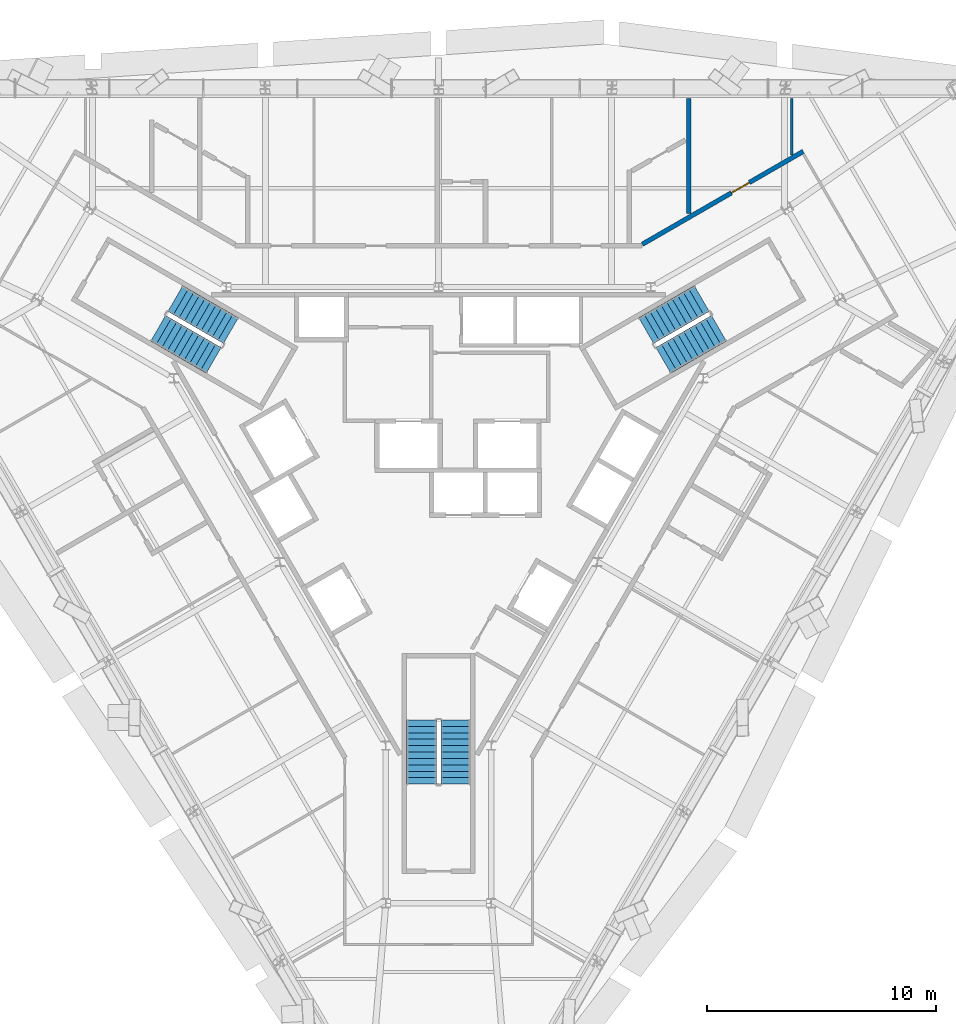
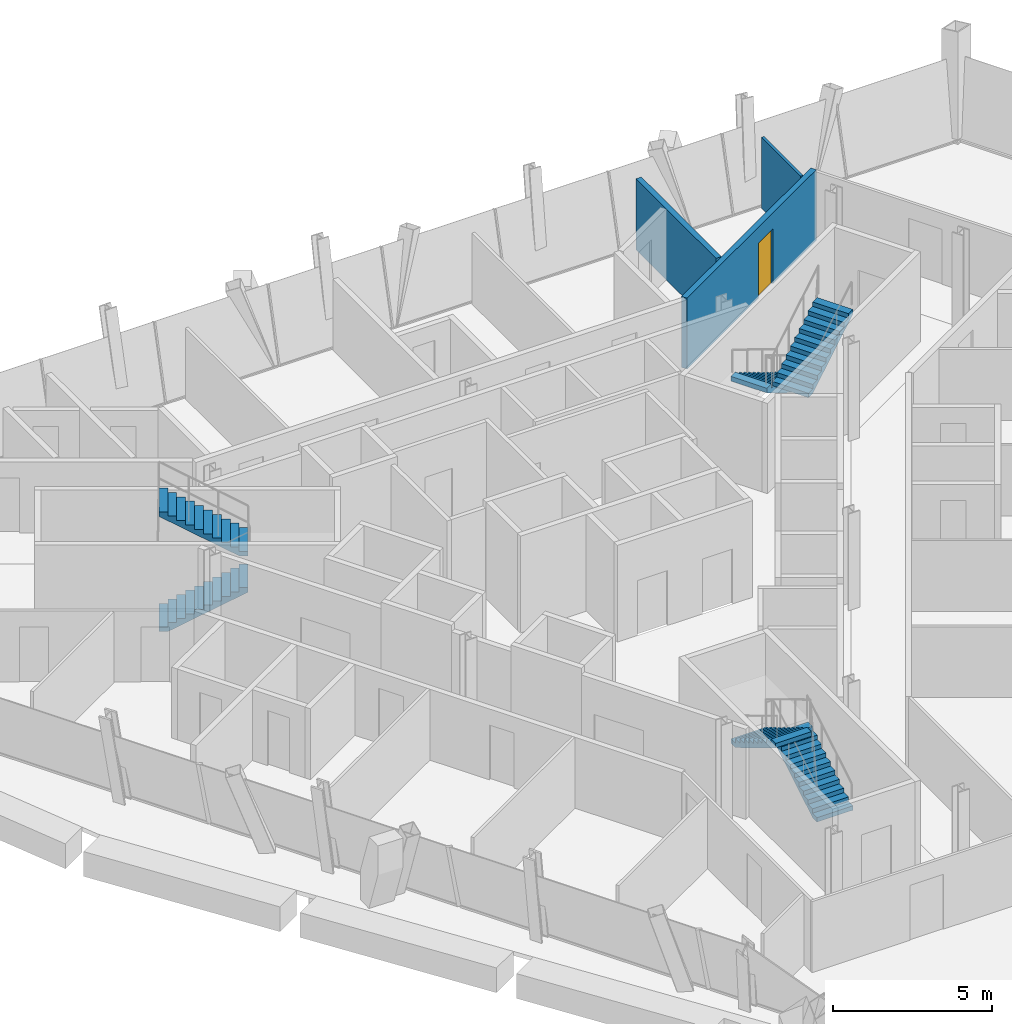
# One storey, part 9 of 11: 6 stair flights, 3 walls, 1 door, 1 opening, 3 elements without a shape of their own.
"""IFC4 building model written with IfcOpenShell, lengths in metres."""

from ifc_helpers import new_model, si_unit, direction, frame, frame_2d, origin, place, context, subcontext, project, spatial, polyline, rectangle, outline, extrude, material, layer, layer_set, type_object, element, fill, aggregate, save


model = new_model("IFC4")

# Units and contexts
model_context = context("Model", 3, precision=1e-05, world=origin(), true_north=direction((0.0, 1.0)))
body_context = subcontext(model_context, "Body", "Model", "MODEL_VIEW")
ifc_project = project(units=[si_unit("LENGTHUNIT", "METRE"), si_unit("AREAUNIT", "SQUARE_METRE"), si_unit("VOLUMEUNIT", "CUBIC_METRE"), si_unit("PLANEANGLEUNIT", "RADIAN"), si_unit("MASSUNIT", "GRAM", prefix="KILO")], contexts=[model_context])

# Site, building, storey
site_placement = place(None, origin())
site = spatial("IfcSite", under=ifc_project, at=site_placement, CompositionType="ELEMENT")
building_placement = place(site_placement, origin())
building = spatial("IfcBuilding", under=site, at=building_placement, Name="Verrane Prism Tower", CompositionType="ELEMENT")
storey_placement = place(building_placement, frame((0.0, 0.0, 156.199951171875)))
storey = spatial("IfcBuildingStorey", under=building, at=storey_placement, Name="L38", CompositionType="ELEMENT", Elevation=156.199951171875)

# Wall
ifc_material_1 = material(Name="Gypsum board partition", Category="other")
ifc_layer_1 = layer(ifc_material_1, 0.10009765625)
ifc_layer_set_1 = layer_set([ifc_layer_1], Name="PW-100 room partition")
wall_type_1 = type_object("IfcWallType", Name="PW-100 room partition", PredefinedType="PARTITIONING", material=ifc_layer_set_1)
wall_1_placement = place(storey_placement, frame((15.4130859375, 13.7744140625, 0.0), z_axis=(0.0, 0.0, 1.0), x_axis=(0.0, 1.0, 0.0)))
element("IfcWall", 1, at=wall_1_placement, inside=storey, type_object=wall_type_1, Name="Room partition 046", PredefinedType="PARTITIONING", context=body_context, shape_type="SweptSolid", body=[
    extrude(rectangle(XDim=2.460693359375, YDim=0.10009765625, at=frame_2d((1.23046875, 0.0))), origin(), (0.0, 0.0, 1.0), 2.713134765625),
])

# Wall, opening, door
ifc_material_2 = material(Name="Gypsum board partition", Category="other")
ifc_layer_2 = layer(ifc_material_2, 0.199951171875)
ifc_layer_set_2 = layer_set([ifc_layer_2], Name="PW-200 plumbing wall")
wall_type_2 = type_object("IfcWallType", Name="PW-200 plumbing wall", PredefinedType="PARTITIONING", material=ifc_layer_set_2)
wall_2_placement = place(storey_placement, frame((8.89501953125, 9.867431640625, 0.0), z_axis=(0.0, 0.0, 1.0), x_axis=(0.866079355551, 0.499906541154, 0.0)))
wall_2 = element("IfcWall", 2, at=wall_2_placement, inside=storey, type_object=wall_type_2, Name="Plumbing wall 037", PredefinedType="PARTITIONING", context=body_context, shape_type="SweptSolid", body=[
    extrude(rectangle(XDim=8.11279296875, YDim=0.199951171875, at=frame_2d((4.056396484375, 0.0))), origin(), (0.0, 0.0, 1.0), 2.713134765625),
])
opening_placement = place(wall_2_placement, frame((4.492919921875, 0.0, 0.0)))
opening = element("IfcOpeningElement", 3, at=opening_placement, cuts=wall_2, Name="Opening D36010", PredefinedType="OPENING", context=body_context, shape_type="SweptSolid", body=[
    extrude(rectangle(XDim=0.89990234375, YDim=2.10009765625, at=frame_2d((0.449951171875, 1.050048828125))), frame((0.0, 0.10986328125, 0.0), z_axis=(0.0, -1.0, 0.0), x_axis=(1.0, 0.0, 0.0)), (0.0, 0.0, 1.0), 0.219970703125),
])
ifc_material_3 = material(Name="Timber veneered door leaf", Category="wood")
door_type = type_object("IfcDoorType", Name="DR-900x2100 single leaf unit", OperationType="NOTDEFINED", PredefinedType="DOOR", material=ifc_material_3)
door_placement = place(opening_placement, origin())
door = element("IfcDoor", 4, at=door_placement, inside=storey, type_object=door_type, Name="Kitchen door", OperationType="SINGLE_SWING_RIGHT", OverallHeight=2.10009765625, OverallWidth=0.89990234375, PredefinedType="DOOR", context=body_context, shape_type="SweptSolid", body=[
    extrude(rectangle(XDim=0.89990234375, YDim=2.10009765625, at=frame_2d((0.449951171875, 1.050048828125))), frame((0.0, 0.02490234375, 0.0), z_axis=(0.0, -1.0, 0.0), x_axis=(1.0, 0.0, 0.0)), (0.0, 0.0, 1.0), 0.050048828125),
])
fill(opening, door)

# Wall
wall_3_placement = place(storey_placement, frame((10.924072265625, 11.212158203125, 0.0), z_axis=(0.0, 0.0, 1.0), x_axis=(0.0, 1.0, 0.0)))
element("IfcWall", 5, at=wall_3_placement, inside=storey, type_object=wall_type_2, Name="Plumbing wall 039", PredefinedType="PARTITIONING", context=body_context, shape_type="SweptSolid", body=[
    extrude(rectangle(XDim=5.02294921875, YDim=0.199951171875, at=frame_2d((2.511474609375, 0.0))), origin(), (0.0, 0.0, 1.0), 2.713134765625),
])

# Stair, stair flights
ifc_material_4 = material(Name="Concrete C40/50", Category="concrete")
stair_type = type_object("IfcStairType", Name="Exit stair 1300 dog-leg precast concrete C40/50", PredefinedType="HALF_TURN_STAIR", material=ifc_material_4)
stair_1_placement = place(storey_placement, origin())
stair_1 = element("IfcStair", 6, at=stair_1_placement, inside=storey, type_object=stair_type, Name="Stair 1 L38", PredefinedType="HALF_TURN_STAIR")
ifc_material_5 = material(Name="Concrete C40/50", Category="concrete")
stair_flight_type = type_object("IfcStairFlightType", Name="Stair flight 1300 precast concrete C40/50", PredefinedType="STRAIGHT", material=ifc_material_5)
stair_flight_1_placement = place(storey_placement, frame((11.489501953125, 7.49951171875, 0.0), z_axis=(0.0, 0.0, 1.0), x_axis=(-0.866025403784, -0.5, 0.0)))
stair_flight_1 = element("IfcStairFlight", 7, at=stair_flight_1_placement, type_object=stair_flight_type, Name="Stair 1 flight 1", NumberOfRisers=11, NumberOfTreads=10, PredefinedType="STRAIGHT", RiserHeight=0.168181818, TreadLength=0.28, context=body_context, shape_type="SweptSolid", body=[
    extrude(outline(polyline([(0.0, 0.0), (0.0, 0.168212890625), (0.280029296875, 0.168212890625), (0.280029296875, 0.33642578125), (0.56005859375, 0.33642578125), (0.56005859375, 0.504638671875), (0.840087890625, 0.504638671875), (0.840087890625, 0.672607421875), (1.1201171875, 0.672607421875), (1.1201171875, 0.8408203125), (1.39990234375, 0.8408203125), (1.39990234375, 1.009033203125), (1.679931640625, 1.009033203125), (1.679931640625, 1.17724609375), (1.9599609375, 1.17724609375), (1.9599609375, 1.345458984375), (2.239990234375, 1.345458984375), (2.239990234375, 1.513671875), (2.52001953125, 1.513671875), (2.52001953125, 1.681884765625), (2.800048828125, 1.681884765625), (2.800048828125, 1.85009765625), (2.800048828125, 1.5068359375), (0.291015625, 0.0), (0.0, 0.0)])), frame((0.0, 0.64990234375, 0.0), z_axis=(0.0, -1.0, 0.0), x_axis=(1.0, 0.0, 0.0)), (0.0, 0.0, 1.0), 1.300048828125),
])
stair_flight_2_placement = place(storey_placement, frame((9.814697265625, 4.800537109375, 1.85009765625), z_axis=(0.0, 0.0, 1.0), x_axis=(0.866025403784, 0.5, 0.0)))
stair_flight_2 = element("IfcStairFlight", 8, at=stair_flight_2_placement, type_object=stair_flight_type, Name="Stair 1 flight 2", NumberOfRisers=11, NumberOfTreads=10, PredefinedType="STRAIGHT", RiserHeight=0.168181818, TreadLength=0.28, context=body_context, shape_type="SweptSolid", body=[
    extrude(outline(polyline([(0.0, 0.0), (0.0, 0.168212890625), (0.280029296875, 0.168212890625), (0.280029296875, 0.33642578125), (0.56005859375, 0.33642578125), (0.56005859375, 0.504638671875), (0.840087890625, 0.504638671875), (0.840087890625, 0.672607421875), (1.1201171875, 0.672607421875), (1.1201171875, 0.8408203125), (1.39990234375, 0.8408203125), (1.39990234375, 1.009033203125), (1.679931640625, 1.009033203125), (1.679931640625, 1.17724609375), (1.9599609375, 1.17724609375), (1.9599609375, 1.345458984375), (2.239990234375, 1.345458984375), (2.239990234375, 1.513671875), (2.52001953125, 1.513671875), (2.52001953125, 1.681884765625), (2.800048828125, 1.681884765625), (2.800048828125, 1.85009765625), (2.800048828125, 1.5068359375), (0.291015625, 0.0), (0.0, 0.0)])), frame((0.0, 0.64990234375, 0.0), z_axis=(0.0, -1.0, 0.0), x_axis=(1.0, 0.0, 0.0)), (0.0, 0.0, 1.0), 1.300048828125),
])
aggregate(stair_1, [stair_flight_1, stair_flight_2])

stair_2_placement = place(storey_placement, origin())
stair_2 = element("IfcStair", 9, at=stair_2_placement, inside=storey, type_object=stair_type, Name="Stair 2 L38", PredefinedType="HALF_TURN_STAIR")
stair_flight_3_placement = place(storey_placement, frame((-12.239501953125, 6.200439453125, 0.0), z_axis=(0.0, 0.0, 1.0), x_axis=(0.866025403784, -0.5, 0.0)))
stair_flight_3 = element("IfcStairFlight", 10, at=stair_flight_3_placement, type_object=stair_flight_type, Name="Stair 2 flight 1", NumberOfRisers=11, NumberOfTreads=10, PredefinedType="STRAIGHT", RiserHeight=0.168181818, TreadLength=0.28, context=body_context, shape_type="SweptSolid", body=[
    extrude(outline(polyline([(0.0, 0.0), (0.0, 0.168212890625), (0.280029296875, 0.168212890625), (0.280029296875, 0.33642578125), (0.56005859375, 0.33642578125), (0.56005859375, 0.504638671875), (0.840087890625, 0.504638671875), (0.840087890625, 0.672607421875), (1.1201171875, 0.672607421875), (1.1201171875, 0.8408203125), (1.39990234375, 0.8408203125), (1.39990234375, 1.009033203125), (1.679931640625, 1.009033203125), (1.679931640625, 1.17724609375), (1.9599609375, 1.17724609375), (1.9599609375, 1.345458984375), (2.239990234375, 1.345458984375), (2.239990234375, 1.513671875), (2.52001953125, 1.513671875), (2.52001953125, 1.681884765625), (2.800048828125, 1.681884765625), (2.800048828125, 1.85009765625), (2.800048828125, 1.5068359375), (0.291015625, 0.0), (0.0, 0.0)])), frame((0.0, 0.64990234375, 0.0), z_axis=(0.0, -1.0, 0.0), x_axis=(1.0, 0.0, 0.0)), (0.0, 0.0, 1.0), 1.300048828125),
])
stair_flight_4_placement = place(storey_placement, frame((-9.064697265625, 6.099609375, 1.85009765625), z_axis=(0.0, 0.0, 1.0), x_axis=(-0.866025403784, 0.5, 0.0)))
stair_flight_4 = element("IfcStairFlight", 11, at=stair_flight_4_placement, type_object=stair_flight_type, Name="Stair 2 flight 2", NumberOfRisers=11, NumberOfTreads=10, PredefinedType="STRAIGHT", RiserHeight=0.168181818, TreadLength=0.28, context=body_context, shape_type="SweptSolid", body=[
    extrude(outline(polyline([(0.0, 0.0), (0.0, 0.168212890625), (0.280029296875, 0.168212890625), (0.280029296875, 0.33642578125), (0.56005859375, 0.33642578125), (0.56005859375, 0.504638671875), (0.840087890625, 0.504638671875), (0.840087890625, 0.672607421875), (1.1201171875, 0.672607421875), (1.1201171875, 0.8408203125), (1.39990234375, 0.8408203125), (1.39990234375, 1.009033203125), (1.679931640625, 1.009033203125), (1.679931640625, 1.17724609375), (1.9599609375, 1.17724609375), (1.9599609375, 1.345458984375), (2.239990234375, 1.345458984375), (2.239990234375, 1.513671875), (2.52001953125, 1.513671875), (2.52001953125, 1.681884765625), (2.800048828125, 1.681884765625), (2.800048828125, 1.85009765625), (2.800048828125, 1.5068359375), (0.291015625, 0.0), (0.0, 0.0)])), frame((0.0, 0.64990234375, 0.0), z_axis=(0.0, -1.0, 0.0), x_axis=(1.0, 0.0, 0.0)), (0.0, 0.0, 1.0), 1.300048828125),
])
aggregate(stair_2, [stair_flight_3, stair_flight_4])

stair_3_placement = place(storey_placement, origin())
stair_3 = element("IfcStair", 12, at=stair_3_placement, inside=storey, type_object=stair_type, Name="Stair 3 L38", PredefinedType="HALF_TURN_STAIR")
stair_flight_5_placement = place(storey_placement, frame((0.75, -13.699951171875, 0.0), z_axis=(0.0, 0.0, 1.0), x_axis=(0.0, 1.0, 0.0)))
stair_flight_5 = element("IfcStairFlight", 13, at=stair_flight_5_placement, type_object=stair_flight_type, Name="Stair 3 flight 1", NumberOfRisers=11, NumberOfTreads=10, PredefinedType="STRAIGHT", RiserHeight=0.168181818, TreadLength=0.28, context=body_context, shape_type="SweptSolid", body=[
    extrude(outline(polyline([(0.0, 0.0), (0.0, 0.168212890625), (0.280029296875, 0.168212890625), (0.280029296875, 0.33642578125), (0.56005859375, 0.33642578125), (0.56005859375, 0.504638671875), (0.840087890625, 0.504638671875), (0.840087890625, 0.672607421875), (1.1201171875, 0.672607421875), (1.1201171875, 0.8408203125), (1.39990234375, 0.8408203125), (1.39990234375, 1.009033203125), (1.679931640625, 1.009033203125), (1.679931640625, 1.17724609375), (1.9599609375, 1.17724609375), (1.9599609375, 1.345458984375), (2.239990234375, 1.345458984375), (2.239990234375, 1.513671875), (2.52001953125, 1.513671875), (2.52001953125, 1.681884765625), (2.800048828125, 1.681884765625), (2.800048828125, 1.85009765625), (2.800048828125, 1.5068359375), (0.291015625, 0.0), (0.0, 0.0)])), frame((0.0, 0.64990234375, 0.0), z_axis=(0.0, -1.0, 0.0), x_axis=(1.0, 0.0, 0.0)), (0.0, 0.0, 1.0), 1.300048828125),
])
stair_flight_6_placement = place(storey_placement, frame((-0.75, -10.89990234375, 1.85009765625), z_axis=(0.0, 0.0, 1.0), x_axis=(0.0, -1.0, 0.0)))
stair_flight_6 = element("IfcStairFlight", 14, at=stair_flight_6_placement, type_object=stair_flight_type, Name="Stair 3 flight 2", NumberOfRisers=11, NumberOfTreads=10, PredefinedType="STRAIGHT", RiserHeight=0.168181818, TreadLength=0.28, context=body_context, shape_type="SweptSolid", body=[
    extrude(outline(polyline([(0.0, 0.0), (0.0, 0.168212890625), (0.280029296875, 0.168212890625), (0.280029296875, 0.33642578125), (0.56005859375, 0.33642578125), (0.56005859375, 0.504638671875), (0.840087890625, 0.504638671875), (0.840087890625, 0.672607421875), (1.1201171875, 0.672607421875), (1.1201171875, 0.8408203125), (1.39990234375, 0.8408203125), (1.39990234375, 1.009033203125), (1.679931640625, 1.009033203125), (1.679931640625, 1.17724609375), (1.9599609375, 1.17724609375), (1.9599609375, 1.345458984375), (2.239990234375, 1.345458984375), (2.239990234375, 1.513671875), (2.52001953125, 1.513671875), (2.52001953125, 1.681884765625), (2.800048828125, 1.681884765625), (2.800048828125, 1.85009765625), (2.800048828125, 1.5068359375), (0.291015625, 0.0), (0.0, 0.0)])), frame((0.0, 0.64990234375, 0.0), z_axis=(0.0, -1.0, 0.0), x_axis=(1.0, 0.0, 0.0)), (0.0, 0.0, 1.0), 1.300048828125),
])
aggregate(stair_3, [stair_flight_5, stair_flight_6])

save(model, "model.ifc")
